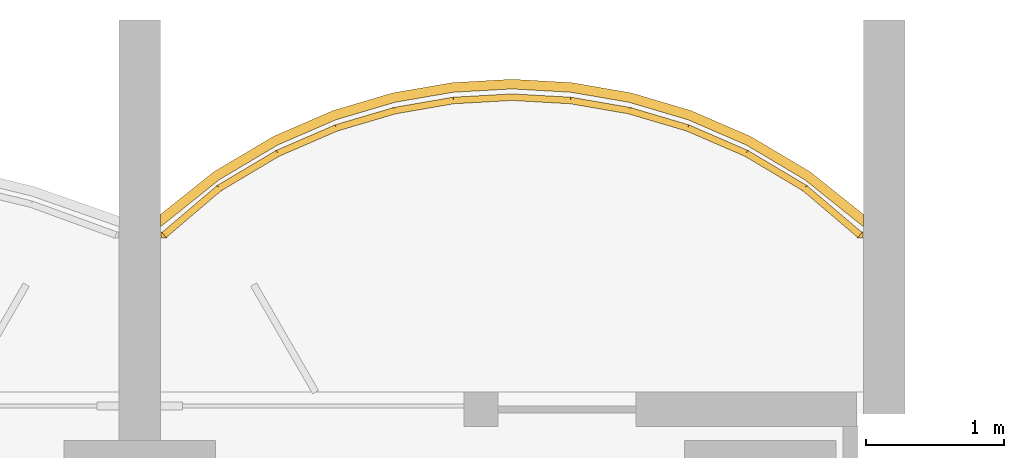
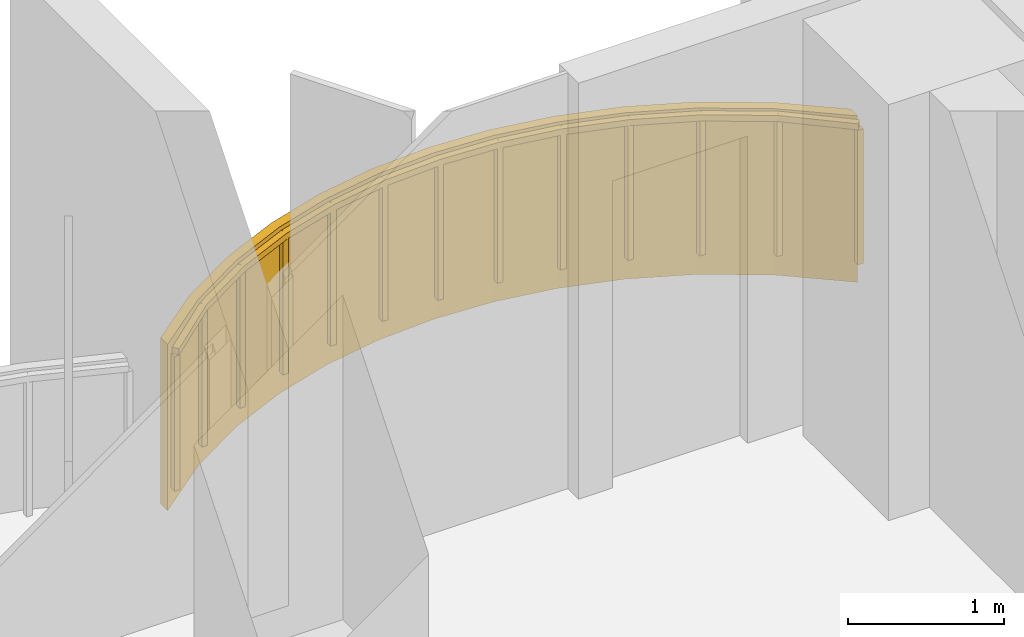
# One storey, part 19 of 19: 1 covering, 1 railing.
"""IFC4 building model written with IfcOpenShell, lengths in metres."""

from ifc_helpers import new_model, si_unit, direction, frame, origin, origin_2d, place, context, subcontext, project, spatial, polyline, rectangle, outline, extrude, material, layer, layer_set, type_object, element, save


model = new_model("IFC4")

# Units and contexts
model_context = context("Model", 3, precision=1e-05, world=origin(), true_north=direction((0.0, 1.0)))
body_context = subcontext(model_context, "Body", "Model", "MODEL_VIEW")
ifc_project = project(units=[si_unit("LENGTHUNIT", "METRE"), si_unit("AREAUNIT", "SQUARE_METRE"), si_unit("VOLUMEUNIT", "CUBIC_METRE"), si_unit("PLANEANGLEUNIT", "RADIAN"), si_unit("MASSUNIT", "GRAM", prefix="KILO")], contexts=[model_context])

# Site, building, storey
site_placement = place(None, origin())
site = spatial("IfcSite", under=ifc_project, at=site_placement, CompositionType="ELEMENT")
building_placement = place(site_placement, origin())
building = spatial("IfcBuilding", under=site, at=building_placement, Name="Perihelion Cross Residences", CompositionType="ELEMENT")
storey_placement = place(building_placement, frame((0.0, 0.0, 126.89990234375)))
storey = spatial("IfcBuildingStorey", under=building, at=storey_placement, Name="L30", CompositionType="ELEMENT", Elevation=126.89990234375)

# Covering
ifc_material_1 = material(Name="Bronze anodised aluminium", Category="aluminium")
ifc_layer = layer(ifc_material_1, 0.070068359375)
ifc_layer_set = layer_set([ifc_layer], Name="Balcony fascia 1300")
covering_type = type_object("IfcCoveringType", Name="Balcony fascia 1300", PredefinedType="CLADDING", material=ifc_layer_set)
covering_placement = place(storey_placement, frame((0.0, 0.0, -0.199951171875)))
element("IfcCovering", 1, at=covering_placement, inside=storey, type_object=covering_type, Name="Fascia BF1 L30 north tip north bay 1", PredefinedType="CLADDING", context=body_context, shape_type="SweptSolid", body=[
    extrude(outline(polyline([(4.86474609375, 28.59765625), (4.431884765625, 28.85498046875), (3.998779296875, 29.04248046875), (3.56591796875, 29.170654296875), (3.133056640625, 29.245361328125), (2.699951171875, 29.27001953125), (2.26708984375, 29.245361328125), (1.833984375, 29.170654296875), (1.401123046875, 29.04248046875), (0.96826171875, 28.85498046875), (0.53515625, 28.59765625), (0.14990234375, 28.28955078125), (0.14990234375, 28.199951171875), (0.574951171875, 28.5400390625), (1.0, 28.792724609375), (1.425048828125, 28.9765625), (1.85009765625, 29.1025390625), (2.27490234375, 29.17578125), (2.699951171875, 29.199951171875), (3.125, 29.17578125), (3.550048828125, 29.1025390625), (3.97509765625, 28.9765625), (4.39990234375, 28.792724609375), (4.824951171875, 28.5400390625), (5.25, 28.199951171875), (5.25, 28.28955078125), (4.86474609375, 28.59765625)])), origin(), (0.0, 0.0, 1.0), 1.300048828125),
])

# Railing
ifc_material_2 = material(Name="Bronze anodised aluminium", Category="aluminium")
railing_type = type_object("IfcRailingType", Name="Balcony guard 1100", PredefinedType="GUARDRAIL", material=ifc_material_2)
railing_placement = place(storey_placement, frame((5.22509765625, 28.139892578125, 0.0)))
element("IfcRailing", 2, at=railing_placement, inside=storey, type_object=railing_type, Name="Guard GU1 L30 north tip north bay 1 balcony", PredefinedType="GUARDRAIL", context=body_context, shape_type="SweptSolid", body=[
    extrude(rectangle(XDim=0.048095703125, YDim=0.048095703125, at=origin_2d()), frame((0.0, 0.0, 1.076171875), z_axis=(-0.761973728849, 0.647607934281, 0.0), x_axis=(-0.647607934281, -0.761973728849, 0.0)), (0.0, 0.0, 1.0), 0.525146484375),
    extrude(rectangle(XDim=0.048095703125, YDim=0.048095703125, at=origin_2d()), frame((-0.400146484375, 0.340087890625, 1.076171875), z_axis=(-0.859576918062, 0.511006381501, 0.0), x_axis=(-0.511006381501, -0.859576918062, 0.0)), (0.0, 0.0, 1.0), 0.494384765625),
    extrude(rectangle(XDim=0.048095703125, YDim=0.048095703125, at=origin_2d()), frame((-0.8251953125, 0.5927734375, 1.076171875), z_axis=(-0.91755562531, 0.397607437634, 0.0), x_axis=(-0.397607437634, -0.91755562531, 0.0)), (0.0, 0.0, 1.0), 0.462890625),
    extrude(rectangle(XDim=0.048095703125, YDim=0.048095703125, at=origin_2d()), frame((-1.25, 0.77685546875, 1.076171875), z_axis=(-0.958925815697, 0.283656975924, 0.0), x_axis=(-0.283656975924, -0.958925815697, 0.0)), (0.0, 0.0, 1.0), 0.443359375),
    extrude(rectangle(XDim=0.048095703125, YDim=0.048095703125, at=origin_2d()), frame((-1.675048828125, 0.902587890625, 1.076171875), z_axis=(-0.985381583142, 0.17036177859, 0.0), x_axis=(-0.17036177859, -0.985381583142, 0.0)), (0.0, 0.0, 1.0), 0.431396484375),
    extrude(rectangle(XDim=0.048095703125, YDim=0.048095703125, at=origin_2d()), frame((-2.10009765625, 0.97607421875, 1.076171875), z_axis=(-0.9984195016, 0.056200523353, 0.0), x_axis=(-0.056200523353, -0.9984195016, 0.0)), (0.0, 0.0, 1.0), 0.42578125),
    extrude(rectangle(XDim=0.048095703125, YDim=0.048095703125, at=origin_2d()), frame((-2.525146484375, 1.0, 1.076171875), z_axis=(-0.9984195016, -0.056200523353, 0.0), x_axis=(0.056200523353, -0.9984195016, 0.0)), (0.0, 0.0, 1.0), 0.42578125),
    extrude(rectangle(XDim=0.048095703125, YDim=0.048095703125, at=origin_2d()), frame((-2.9501953125, 0.97607421875, 1.076171875), z_axis=(-0.985365142702, -0.170456843651, 0.0), x_axis=(0.170456843651, -0.985365142702, 0.0)), (0.0, 0.0, 1.0), 0.43115234375),
    extrude(rectangle(XDim=0.048095703125, YDim=0.048095703125, at=origin_2d()), frame((-3.375, 0.902587890625, 1.076171875), z_axis=(-0.958925815697, -0.283656975924, 0.0), x_axis=(0.283656975924, -0.958925815697, 0.0)), (0.0, 0.0, 1.0), 0.443359375),
    extrude(rectangle(XDim=0.048095703125, YDim=0.048095703125, at=origin_2d()), frame((-3.800048828125, 0.77685546875, 1.076171875), z_axis=(-0.917638931453, -0.397415137459, 0.0), x_axis=(0.397415137459, -0.917638931453, 0.0)), (0.0, 0.0, 1.0), 0.463134765625),
    extrude(rectangle(XDim=0.048095703125, YDim=0.048095703125, at=origin_2d()), frame((-4.22509765625, 0.5927734375, 1.076171875), z_axis=(-0.859576918062, -0.511006381501, 0.0), x_axis=(0.511006381501, -0.859576918062, 0.0)), (0.0, 0.0, 1.0), 0.494384765625),
    extrude(rectangle(XDim=0.048095703125, YDim=0.048095703125, at=origin_2d()), frame((-4.650146484375, 0.340087890625, 1.076171875), z_axis=(-0.761778647315, -0.647837396648, 0.0), x_axis=(0.647837396648, -0.761778647315, 0.0)), (0.0, 0.0, 1.0), 0.52490234375),
    extrude(rectangle(XDim=0.0419921875, YDim=0.0419921875, at=origin_2d()), origin(), (0.0, 0.0, 1.0), 1.052001953125),
    extrude(rectangle(XDim=0.0419921875, YDim=0.0419921875, at=origin_2d()), frame((-0.400146484375, 0.340087890625, 0.0)), (0.0, 0.0, 1.0), 1.052001953125),
    extrude(rectangle(XDim=0.0419921875, YDim=0.0419921875, at=origin_2d()), frame((-0.8251953125, 0.5927734375, 0.0)), (0.0, 0.0, 1.0), 1.052001953125),
    extrude(rectangle(XDim=0.0419921875, YDim=0.0419921875, at=origin_2d()), frame((-1.25, 0.77685546875, 0.0)), (0.0, 0.0, 1.0), 1.052001953125),
    extrude(rectangle(XDim=0.0419921875, YDim=0.0419921875, at=origin_2d()), frame((-1.675048828125, 0.902587890625, 0.0)), (0.0, 0.0, 1.0), 1.052001953125),
    extrude(rectangle(XDim=0.0419921875, YDim=0.0419921875, at=origin_2d()), frame((-2.10009765625, 0.97607421875, 0.0)), (0.0, 0.0, 1.0), 1.052001953125),
    extrude(rectangle(XDim=0.0419921875, YDim=0.0419921875, at=origin_2d()), frame((-2.525146484375, 1.0, 0.0)), (0.0, 0.0, 1.0), 1.052001953125),
    extrude(rectangle(XDim=0.0419921875, YDim=0.0419921875, at=origin_2d()), frame((-2.9501953125, 0.97607421875, 0.0)), (0.0, 0.0, 1.0), 1.052001953125),
    extrude(rectangle(XDim=0.0419921875, YDim=0.0419921875, at=origin_2d()), frame((-3.375, 0.902587890625, 0.0)), (0.0, 0.0, 1.0), 1.052001953125),
    extrude(rectangle(XDim=0.0419921875, YDim=0.0419921875, at=origin_2d()), frame((-3.800048828125, 0.77685546875, 0.0)), (0.0, 0.0, 1.0), 1.052001953125),
    extrude(rectangle(XDim=0.0419921875, YDim=0.0419921875, at=origin_2d()), frame((-4.22509765625, 0.5927734375, 0.0)), (0.0, 0.0, 1.0), 1.052001953125),
    extrude(rectangle(XDim=0.0419921875, YDim=0.0419921875, at=origin_2d()), frame((-4.650146484375, 0.340087890625, 0.0)), (0.0, 0.0, 1.0), 1.052001953125),
    extrude(rectangle(XDim=0.0419921875, YDim=0.0419921875, at=origin_2d()), frame((-5.050048828125, 0.0, 0.0)), (0.0, 0.0, 1.0), 1.052001953125),
])

save(model, "model.ifc")
